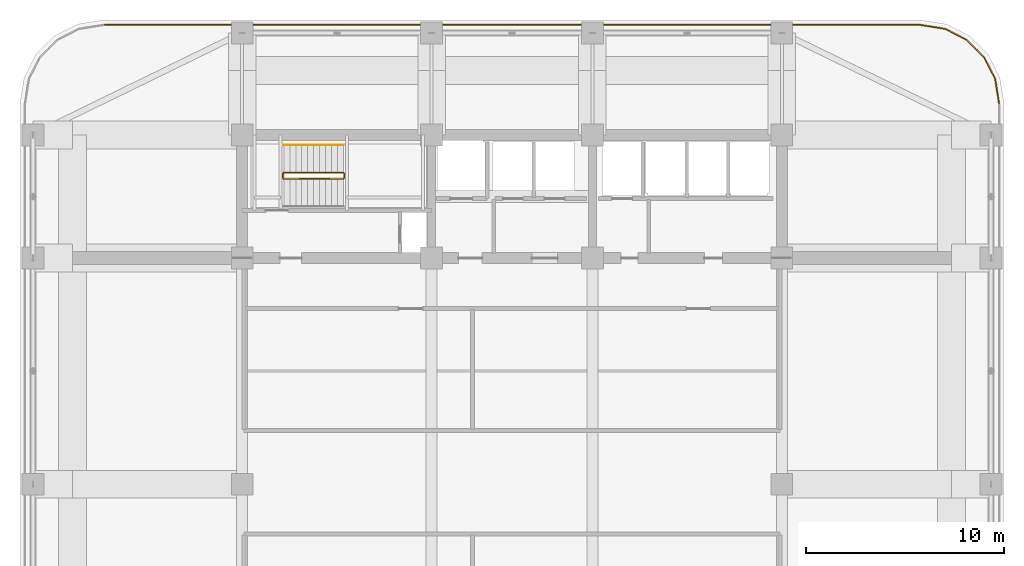
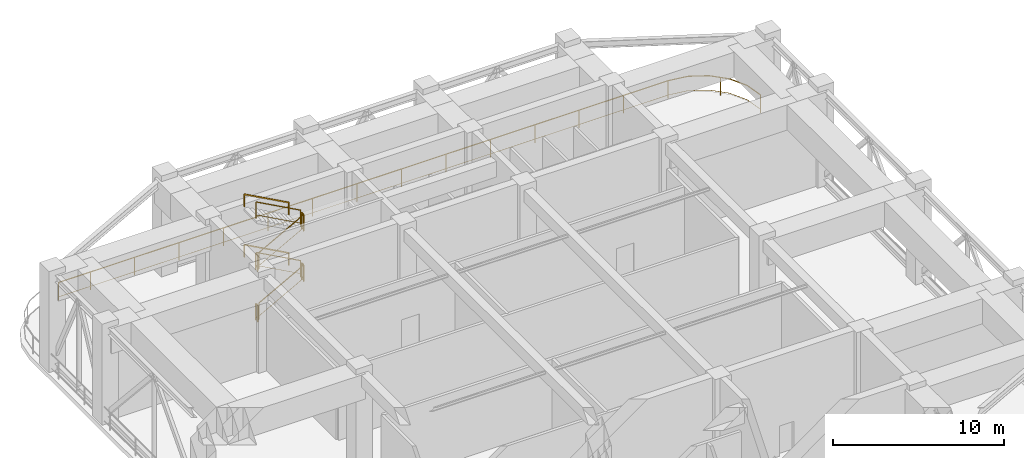
# One storey, part 20 of 20: 11 railings.
"""IFC4 building model written with IfcOpenShell, lengths in metres."""

from ifc_helpers import new_model, si_unit, direction, frame, origin, origin_2d, place, context, subcontext, project, spatial, rectangle, extrude, material, type_object, element, save


model = new_model("IFC4")

# Units and contexts
model_context = context("Model", 3, precision=1e-05, world=origin(), true_north=direction((0.0, 1.0)))
body_context = subcontext(model_context, "Body", "Model", "MODEL_VIEW")
ifc_project = project(units=[si_unit("LENGTHUNIT", "METRE"), si_unit("AREAUNIT", "SQUARE_METRE"), si_unit("VOLUMEUNIT", "CUBIC_METRE"), si_unit("PLANEANGLEUNIT", "RADIAN"), si_unit("MASSUNIT", "GRAM", prefix="KILO")], contexts=[model_context])

# Site, building, storey
site_placement = place(None, origin())
site = spatial("IfcSite", under=ifc_project, at=site_placement, CompositionType="ELEMENT")
building_placement = place(site_placement, origin())
building = spatial("IfcBuilding", under=site, at=building_placement, Name="Svetorya Sky Lyceum", CompositionType="ELEMENT")
storey_placement = place(building_placement, frame((0.0, 0.0, 136.39990234375)))
storey = spatial("IfcBuildingStorey", under=building, at=storey_placement, Name="L34", CompositionType="ELEMENT", Elevation=136.39990234375)

# Railings
ifc_material_1 = material(Name="Hot-dip galvanized wind-portal guard")
railing_type_1 = type_object("IfcRailingType", Name="RL-PRT-1300", PredefinedType="GUARDRAIL", material=ifc_material_1)
railing_1_placement = place(storey_placement, frame((63.75, 47.39990234375, 0.0)))
element("IfcRailing", 1, at=railing_1_placement, inside=storey, type_object=railing_type_1, Name="L34 Wind-Portal Deck Guard Quadrant 3", PredefinedType="GUARDRAIL", context=body_context, shape_type="SweptSolid", body=[
    extrude(rectangle(XDim=0.048095703125, YDim=0.048095703125, at=origin_2d()), frame((0.0, 0.0, 1.27587890625), z_axis=(-0.156449457012, 0.987685965983, 0.0), x_axis=(-0.987685965983, -0.156449457012, 0.0)), (0.0, 0.0, 1.0), 1.23583984375),
    extrude(rectangle(XDim=0.02392578125, YDim=0.02392578125, at=origin_2d()), frame((0.0, 0.0, 0.25), z_axis=(-0.156449457012, 0.987685965983, 0.0), x_axis=(-0.987685965983, -0.156449457012, 0.0)), (0.0, 0.0, 1.0), 1.23583984375),
    extrude(rectangle(XDim=0.048095703125, YDim=0.048095703125, at=origin_2d()), frame((-0.193359375, 1.220703125, 1.27587890625), z_axis=(-0.453996808381, 0.891003309747, 0.0), x_axis=(-0.891003309747, -0.453996808381, 0.0)), (0.0, 0.0, 1.0), 1.23583984375),
    extrude(rectangle(XDim=0.02392578125, YDim=0.02392578125, at=origin_2d()), frame((-0.193359375, 1.220703125, 0.25), z_axis=(-0.453996808381, 0.891003309747, 0.0), x_axis=(-0.891003309747, -0.453996808381, 0.0)), (0.0, 0.0, 1.0), 1.23583984375),
    extrude(rectangle(XDim=0.048095703125, YDim=0.048095703125, at=origin_2d()), frame((-0.75439453125, 2.32177734375, 1.27587890625), z_axis=(-0.707008002564, 0.707205546012, 0.0), x_axis=(-0.707205546012, -0.707008002564, 0.0)), (0.0, 0.0, 1.0), 1.23583984375),
    extrude(rectangle(XDim=0.02392578125, YDim=0.02392578125, at=origin_2d()), frame((-0.75439453125, 2.32177734375, 0.25), z_axis=(-0.707008002564, 0.707205546012, 0.0), x_axis=(-0.707205546012, -0.707008002564, 0.0)), (0.0, 0.0, 1.0), 1.23583984375),
    extrude(rectangle(XDim=0.048095703125, YDim=0.048095703125, at=origin_2d()), frame((-1.628173828125, 3.19580078125, 1.27587890625), z_axis=(-0.891044019054, 0.453916904408, 0.0), x_axis=(-0.453916904408, -0.891044019054, 0.0)), (0.0, 0.0, 1.0), 1.236083984375),
    extrude(rectangle(XDim=0.02392578125, YDim=0.02392578125, at=origin_2d()), frame((-1.628173828125, 3.19580078125, 0.25), z_axis=(-0.891044019054, 0.453916904408, 0.0), x_axis=(-0.453916904408, -0.891044019054, 0.0)), (0.0, 0.0, 1.0), 1.236083984375),
    extrude(rectangle(XDim=0.048095703125, YDim=0.048095703125, at=origin_2d()), frame((-2.7294921875, 3.7568359375, 1.27587890625), z_axis=(-0.987681129562, 0.15647998692, 0.0), x_axis=(-0.15647998692, -0.987681129562, 0.0)), (0.0, 0.0, 1.0), 1.235595703125),
    extrude(rectangle(XDim=0.02392578125, YDim=0.02392578125, at=origin_2d()), frame((-2.7294921875, 3.7568359375, 0.25), z_axis=(-0.987681129562, 0.15647998692, 0.0), x_axis=(-0.15647998692, -0.987681129562, 0.0)), (0.0, 0.0, 1.0), 1.235595703125),
    extrude(rectangle(XDim=0.048095703125, YDim=0.048095703125, at=origin_2d()), frame((-3.949951171875, 3.9501953125, 1.27587890625), z_axis=(-1.0, 0.0, 0.0), x_axis=(0.0, -1.0, 0.0)), (0.0, 0.0, 1.0), 41.14013671875),
    extrude(rectangle(XDim=0.02392578125, YDim=0.02392578125, at=origin_2d()), frame((-3.949951171875, 3.9501953125, 0.25), z_axis=(-1.0, 0.0, 0.0), x_axis=(0.0, -1.0, 0.0)), (0.0, 0.0, 1.0), 41.14013671875),
    extrude(rectangle(XDim=0.0419921875, YDim=0.0419921875, at=origin_2d()), origin(), (0.0, 0.0, 1.0), 1.251953125),
    extrude(rectangle(XDim=0.0419921875, YDim=0.0419921875, at=origin_2d()), frame((-1.1279296875, 2.6953125, 0.0)), (0.0, 0.0, 1.0), 1.251953125),
    extrude(rectangle(XDim=0.0419921875, YDim=0.0419921875, at=origin_2d()), frame((-3.949951171875, 3.9501953125, 0.0)), (0.0, 0.0, 1.0), 1.251953125),
    extrude(rectangle(XDim=0.0419921875, YDim=0.0419921875, at=origin_2d()), frame((-6.949951171875, 3.9501953125, 0.0)), (0.0, 0.0, 1.0), 1.251953125),
    extrude(rectangle(XDim=0.0419921875, YDim=0.0419921875, at=origin_2d()), frame((-9.949951171875, 3.9501953125, 0.0)), (0.0, 0.0, 1.0), 1.251953125),
    extrude(rectangle(XDim=0.0419921875, YDim=0.0419921875, at=origin_2d()), frame((-12.949951171875, 3.9501953125, 0.0)), (0.0, 0.0, 1.0), 1.251953125),
    extrude(rectangle(XDim=0.0419921875, YDim=0.0419921875, at=origin_2d()), frame((-15.949951171875, 3.9501953125, 0.0)), (0.0, 0.0, 1.0), 1.251953125),
    extrude(rectangle(XDim=0.0419921875, YDim=0.0419921875, at=origin_2d()), frame((-18.949951171875, 3.9501953125, 0.0)), (0.0, 0.0, 1.0), 1.251953125),
    extrude(rectangle(XDim=0.0419921875, YDim=0.0419921875, at=origin_2d()), frame((-21.949951171875, 3.9501953125, 0.0)), (0.0, 0.0, 1.0), 1.251953125),
    extrude(rectangle(XDim=0.0419921875, YDim=0.0419921875, at=origin_2d()), frame((-24.949951171875, 3.9501953125, 0.0)), (0.0, 0.0, 1.0), 1.251953125),
    extrude(rectangle(XDim=0.0419921875, YDim=0.0419921875, at=origin_2d()), frame((-27.949951171875, 3.9501953125, 0.0)), (0.0, 0.0, 1.0), 1.251953125),
    extrude(rectangle(XDim=0.0419921875, YDim=0.0419921875, at=origin_2d()), frame((-30.949951171875, 3.9501953125, 0.0)), (0.0, 0.0, 1.0), 1.251953125),
    extrude(rectangle(XDim=0.0419921875, YDim=0.0419921875, at=origin_2d()), frame((-33.949951171875, 3.9501953125, 0.0)), (0.0, 0.0, 1.0), 1.251953125),
    extrude(rectangle(XDim=0.0419921875, YDim=0.0419921875, at=origin_2d()), frame((-36.949951171875, 3.9501953125, 0.0)), (0.0, 0.0, 1.0), 1.251953125),
    extrude(rectangle(XDim=0.0419921875, YDim=0.0419921875, at=origin_2d()), frame((-39.949951171875, 3.9501953125, 0.0)), (0.0, 0.0, 1.0), 1.251953125),
    extrude(rectangle(XDim=0.0419921875, YDim=0.0419921875, at=origin_2d()), frame((-42.949951171875, 3.9501953125, 0.0)), (0.0, 0.0, 1.0), 1.251953125),
    extrude(rectangle(XDim=0.0419921875, YDim=0.0419921875, at=origin_2d()), frame((-45.090087890625, 3.9501953125, 0.0)), (0.0, 0.0, 1.0), 1.251953125),
])
ifc_material_2 = material(Name="Painted galvanized stair well guard")
railing_type_2 = type_object("IfcRailingType", Name="RL-STR-GUARD-1200", PredefinedType="GUARDRAIL", material=ifc_material_2)
railing_2_placement = place(storey_placement, frame((27.699951171875, 43.60009765625, 0.163818359375)))
element("IfcRailing", 2, at=railing_2_placement, inside=storey, type_object=railing_type_2, Name="L34 ST-N stair guard 1", PredefinedType="GUARDRAIL", context=body_context, shape_type="SweptSolid", body=[
    extrude(rectangle(XDim=0.048095703125, YDim=0.048095703125, at=origin_2d()), frame((0.0, 0.0, 1.17578125), z_axis=(0.877911954615, 0.0, 0.47882209634), x_axis=(0.0, 1.0, 0.0)), (0.0, 0.0, 1.0), 3.417236328125),
    extrude(rectangle(XDim=0.02392578125, YDim=0.02392578125, at=origin_2d()), frame((0.0, 0.0, 0.25), z_axis=(0.877911954615, 0.0, 0.47882209634), x_axis=(0.0, 1.0, 0.0)), (0.0, 0.0, 1.0), 3.417236328125),
    extrude(rectangle(XDim=0.0419921875, YDim=0.0419921875, at=origin_2d()), origin(), (0.0, 0.0, 1.0), 1.15185546875),
    extrude(rectangle(XDim=0.0419921875, YDim=0.0419921875, at=origin_2d()), frame((3.0, 0.0, 1.63623046875)), (0.0, 0.0, 1.0), 1.15185546875),
])
railing_3_placement = place(storey_placement, frame((30.75, 43.64990234375, 1.800048828125)))
element("IfcRailing", 3, at=railing_3_placement, inside=storey, type_object=railing_type_2, Name="L34 ST-N stair guard 2", PredefinedType="GUARDRAIL", context=body_context, shape_type="SweptSolid", body=[
    extrude(rectangle(XDim=0.048095703125, YDim=0.048095703125, at=origin_2d()), frame((0.0, 0.0, 1.17578125), z_axis=(0.0, 1.0, 0.0), x_axis=(-1.0, 0.0, 0.0)), (0.0, 0.0, 1.0), 0.2001953125),
    extrude(rectangle(XDim=0.02392578125, YDim=0.02392578125, at=origin_2d()), frame((0.0, 0.0, 0.25), z_axis=(0.0, 1.0, 0.0), x_axis=(-1.0, 0.0, 0.0)), (0.0, 0.0, 1.0), 0.2001953125),
    extrude(rectangle(XDim=0.0419921875, YDim=0.0419921875, at=origin_2d()), origin(), (0.0, 0.0, 1.0), 1.15185546875),
    extrude(rectangle(XDim=0.0419921875, YDim=0.0419921875, at=origin_2d()), frame((0.0, 0.2001953125, 0.0)), (0.0, 0.0, 1.0), 1.15185546875),
])
railing_4_placement = place(storey_placement, frame((30.699951171875, 43.89990234375, 1.963623046875)))
element("IfcRailing", 4, at=railing_4_placement, inside=storey, type_object=railing_type_2, Name="L34 ST-N stair guard 3", PredefinedType="GUARDRAIL", context=body_context, shape_type="SweptSolid", body=[
    extrude(rectangle(XDim=0.048095703125, YDim=0.048095703125, at=origin_2d()), frame((0.0, 0.0, 1.17578125), z_axis=(-0.877881921179, 0.0, 0.478877158013), x_axis=(0.0, -1.0, 0.0)), (0.0, 0.0, 1.0), 3.417236328125),
    extrude(rectangle(XDim=0.02392578125, YDim=0.02392578125, at=origin_2d()), frame((0.0, 0.0, 0.25), z_axis=(-0.877881921179, 0.0, 0.478877158013), x_axis=(0.0, -1.0, 0.0)), (0.0, 0.0, 1.0), 3.417236328125),
    extrude(rectangle(XDim=0.0419921875, YDim=0.0419921875, at=origin_2d()), origin(), (0.0, 0.0, 1.0), 1.15185546875),
    extrude(rectangle(XDim=0.0419921875, YDim=0.0419921875, at=origin_2d()), frame((-3.0, 0.0, 1.636474609375)), (0.0, 0.0, 1.0), 1.15185546875),
])
railing_5_placement = place(storey_placement, frame((27.64990234375, 43.64990234375, 3.60009765625)))
element("IfcRailing", 5, at=railing_5_placement, inside=storey, type_object=railing_type_2, Name="L34 ST-N stair guard 4", PredefinedType="GUARDRAIL", context=body_context, shape_type="SweptSolid", body=[
    extrude(rectangle(XDim=0.048095703125, YDim=0.048095703125, at=origin_2d()), frame((0.0, 0.0, 1.17578125), z_axis=(0.0, 1.0, 0.0), x_axis=(-1.0, 0.0, 0.0)), (0.0, 0.0, 1.0), 0.2001953125),
    extrude(rectangle(XDim=0.02392578125, YDim=0.02392578125, at=origin_2d()), frame((0.0, 0.0, 0.25), z_axis=(0.0, 1.0, 0.0), x_axis=(-1.0, 0.0, 0.0)), (0.0, 0.0, 1.0), 0.2001953125),
    extrude(rectangle(XDim=0.0419921875, YDim=0.0419921875, at=origin_2d()), origin(), (0.0, 0.0, 1.0), 1.15185546875),
    extrude(rectangle(XDim=0.0419921875, YDim=0.0419921875, at=origin_2d()), frame((0.0, 0.2001953125, 0.0)), (0.0, 0.0, 1.0), 1.15185546875),
])
railing_6_placement = place(storey_placement, frame((27.699951171875, 43.60009765625, 3.763671875)))
element("IfcRailing", 6, at=railing_6_placement, inside=storey, type_object=railing_type_2, Name="L34 ST-N stair guard 5", PredefinedType="GUARDRAIL", context=body_context, shape_type="SweptSolid", body=[
    extrude(rectangle(XDim=0.048095703125, YDim=0.048095703125, at=origin_2d()), frame((0.0, 0.0, 1.17578125), z_axis=(0.877881921179, 0.0, 0.478877158013), x_axis=(0.0, 1.0, 0.0)), (0.0, 0.0, 1.0), 3.417236328125),
    extrude(rectangle(XDim=0.02392578125, YDim=0.02392578125, at=origin_2d()), frame((0.0, 0.0, 0.25), z_axis=(0.877881921179, 0.0, 0.478877158013), x_axis=(0.0, 1.0, 0.0)), (0.0, 0.0, 1.0), 3.417236328125),
    extrude(rectangle(XDim=0.0419921875, YDim=0.0419921875, at=origin_2d()), origin(), (0.0, 0.0, 1.0), 1.15185546875),
    extrude(rectangle(XDim=0.0419921875, YDim=0.0419921875, at=origin_2d()), frame((3.0, 0.0, 1.636474609375)), (0.0, 0.0, 1.0), 1.15185546875),
])
railing_7_placement = place(storey_placement, frame((30.75, 43.64990234375, 5.400146484375)))
element("IfcRailing", 7, at=railing_7_placement, inside=storey, type_object=railing_type_2, Name="L34 ST-N stair guard 6", PredefinedType="GUARDRAIL", context=body_context, shape_type="SweptSolid", body=[
    extrude(rectangle(XDim=0.048095703125, YDim=0.048095703125, at=origin_2d()), frame((0.0, 0.0, 1.17578125), z_axis=(0.0, 1.0, 0.0), x_axis=(-1.0, 0.0, 0.0)), (0.0, 0.0, 1.0), 0.2001953125),
    extrude(rectangle(XDim=0.02392578125, YDim=0.02392578125, at=origin_2d()), frame((0.0, 0.0, 0.25), z_axis=(0.0, 1.0, 0.0), x_axis=(-1.0, 0.0, 0.0)), (0.0, 0.0, 1.0), 0.2001953125),
    extrude(rectangle(XDim=0.0419921875, YDim=0.0419921875, at=origin_2d()), origin(), (0.0, 0.0, 1.0), 1.15185546875),
    extrude(rectangle(XDim=0.0419921875, YDim=0.0419921875, at=origin_2d()), frame((0.0, 0.2001953125, 0.0)), (0.0, 0.0, 1.0), 1.15185546875),
])
railing_8_placement = place(storey_placement, frame((30.699951171875, 43.89990234375, 5.563720703125)))
element("IfcRailing", 8, at=railing_8_placement, inside=storey, type_object=railing_type_2, Name="L34 ST-N stair guard 7", PredefinedType="GUARDRAIL", context=body_context, shape_type="SweptSolid", body=[
    extrude(rectangle(XDim=0.048095703125, YDim=0.048095703125, at=origin_2d()), frame((0.0, 0.0, 1.17578125), z_axis=(-0.877881921179, 0.0, 0.478877158013), x_axis=(0.0, -1.0, 0.0)), (0.0, 0.0, 1.0), 3.417236328125),
    extrude(rectangle(XDim=0.02392578125, YDim=0.02392578125, at=origin_2d()), frame((0.0, 0.0, 0.25), z_axis=(-0.877881921179, 0.0, 0.478877158013), x_axis=(0.0, -1.0, 0.0)), (0.0, 0.0, 1.0), 3.417236328125),
    extrude(rectangle(XDim=0.0419921875, YDim=0.0419921875, at=origin_2d()), origin(), (0.0, 0.0, 1.0), 1.15185546875),
    extrude(rectangle(XDim=0.0419921875, YDim=0.0419921875, at=origin_2d()), frame((-3.0, 0.0, 1.636474609375)), (0.0, 0.0, 1.0), 1.15185546875),
])
railing_9_placement = place(storey_placement, frame((27.64990234375, 43.64990234375, 0.0)))
element("IfcRailing", 9, at=railing_9_placement, inside=storey, type_object=railing_type_2, Name="L34 ST-N stair guard 8", PredefinedType="GUARDRAIL", context=body_context, shape_type="SweptSolid", body=[
    extrude(rectangle(XDim=0.048095703125, YDim=0.048095703125, at=origin_2d()), frame((0.0, 0.0, 1.17578125), z_axis=(0.0, 1.0, 0.0), x_axis=(-1.0, 0.0, 0.0)), (0.0, 0.0, 1.0), 0.2001953125),
    extrude(rectangle(XDim=0.02392578125, YDim=0.02392578125, at=origin_2d()), frame((0.0, 0.0, 0.25), z_axis=(0.0, 1.0, 0.0), x_axis=(-1.0, 0.0, 0.0)), (0.0, 0.0, 1.0), 0.2001953125),
    extrude(rectangle(XDim=0.0419921875, YDim=0.0419921875, at=origin_2d()), origin(), (0.0, 0.0, 1.0), 1.15185546875),
    extrude(rectangle(XDim=0.0419921875, YDim=0.0419921875, at=origin_2d()), frame((0.0, 0.2001953125, 0.0)), (0.0, 0.0, 1.0), 1.15185546875),
])
ifc_material_3 = material(Name="Brushed stainless AISI 304 stair handrail")
railing_type_3 = type_object("IfcRailingType", Name="RL-STR-HAND-920", PredefinedType="HANDRAIL", material=ifc_material_3)
for number, where, name in (
    (10, (30.699951171875, 45.300048828125, 1.963623046875), "L34 ST-N stair handrail 2"),
    (11, (30.699951171875, 45.300048828125, 5.563720703125), "L34 ST-N stair handrail 4"),
):
    element("IfcRailing", number, at=place(storey_placement, frame(where)), inside=storey, type_object=railing_type_3, Name=name, PredefinedType="HANDRAIL", context=body_context, shape_type="SweptSolid", body=[
        extrude(rectangle(XDim=0.048095703125, YDim=0.048095703125, at=origin_2d()), frame((0.0, 0.0, 0.8759765625), z_axis=(-0.877881921179, 0.0, 0.478877158013), x_axis=(0.0, -1.0, 0.0)), (0.0, 0.0, 1.0), 3.417236328125),
        extrude(rectangle(XDim=0.0419921875, YDim=0.0419921875, at=origin_2d()), origin(), (0.0, 0.0, 1.0), 0.851806640625),
        extrude(rectangle(XDim=0.0419921875, YDim=0.0419921875, at=origin_2d()), frame((-3.0, 0.0, 1.636474609375)), (0.0, 0.0, 1.0), 0.851806640625),
    ])

save(model, "model.ifc")
